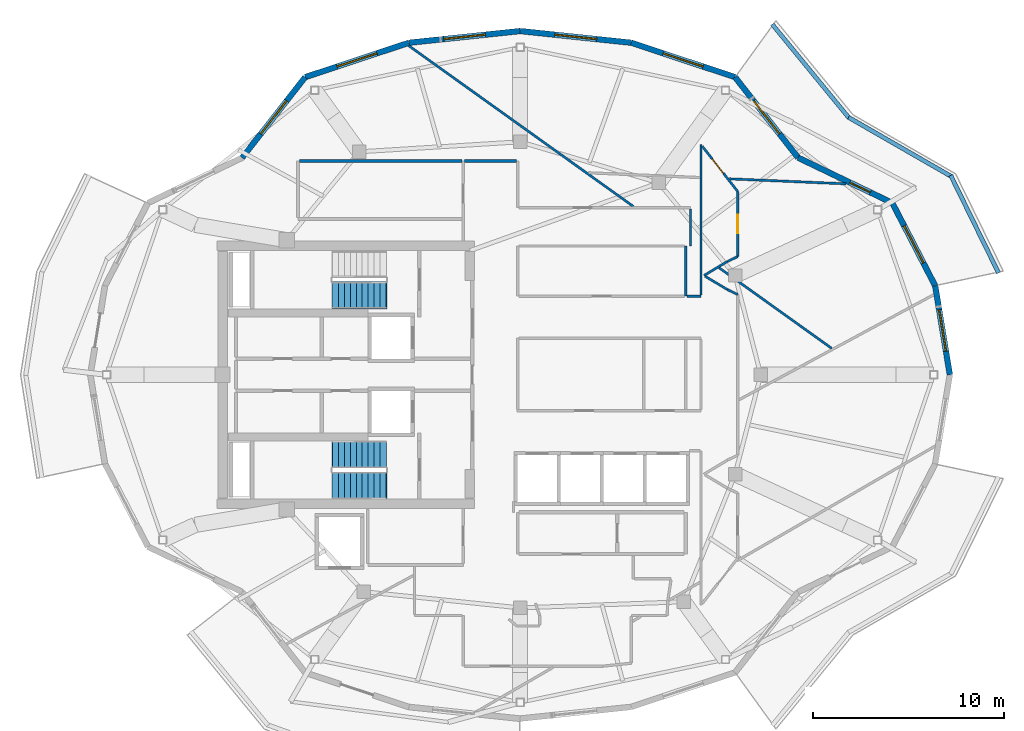
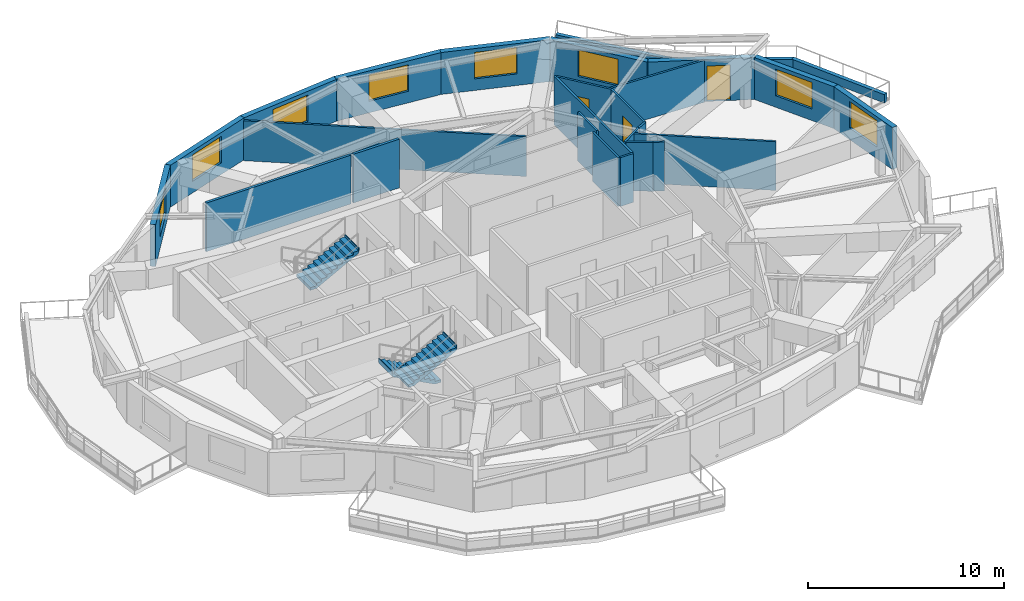
# One storey, part 7 of 11: 27 walls, 8 windows, 3 doors, 3 stair flights, 11 openings, 2 elements without a shape of their own.
"""IFC4 building model written with IfcOpenShell, lengths in metres."""

from ifc_helpers import new_model, si_unit, direction, frame, frame_2d, origin, place, context, subcontext, project, spatial, polyline, rectangle, outline, extrude, material, layer, layer_set, type_object, element, fill, aggregate, save


model = new_model("IFC4")

# Units and contexts
model_context = context("Model", 3, precision=1e-05, world=origin(), true_north=direction((0.0, 1.0)))
body_context = subcontext(model_context, "Body", "Model", "MODEL_VIEW")
ifc_project = project(units=[si_unit("LENGTHUNIT", "METRE"), si_unit("AREAUNIT", "SQUARE_METRE"), si_unit("VOLUMEUNIT", "CUBIC_METRE"), si_unit("PLANEANGLEUNIT", "RADIAN"), si_unit("MASSUNIT", "GRAM", prefix="KILO")], contexts=[model_context])

# Site, building, storey
site_placement = place(None, origin())
site = spatial("IfcSite", under=ifc_project, at=site_placement, CompositionType="ELEMENT")
building_placement = place(site_placement, origin())
building = spatial("IfcBuilding", under=site, at=building_placement, Name="Kolvaren Gate Tower and Convention Centre", CompositionType="ELEMENT")
storey_placement = place(building_placement, frame((0.0, 0.0, 255.800048828125)))
storey = spatial("IfcBuildingStorey", under=building, at=storey_placement, Name="L69", CompositionType="ELEMENT", Elevation=255.800048828125)

# Walls
ifc_material_1 = material(Name="Fire-Rated Acoustic Gypsum Stud Partition", Category="gypsum")
ifc_layer_1 = layer(ifc_material_1, 0.1201171875)
ifc_layer_set_1 = layer_set([ifc_layer_1], Name="Fire-Rated Acoustic Gypsum Stud Partition")
wall_type_1 = type_object("IfcWallType", Name="ARCH-WL-PART-120", PredefinedType="PARTITIONING", material=ifc_layer_set_1)
wall_1_placement = place(storey_placement, frame((38.800048828125, 31.1201171875, 0.0), z_axis=(0.0, 0.0, 1.0), x_axis=(0.0, 1.0, 0.0)))
element("IfcWall", 1, at=wall_1_placement, inside=storey, type_object=wall_type_1, Name="Interior Partition WL-L69-INT-023", PredefinedType="PARTITIONING", context=body_context, shape_type="SweptSolid", body=[
    extrude(rectangle(XDim=2.6298828125, YDim=0.1201171875, at=frame_2d((1.31494140625, 0.0))), origin(), (0.0, 0.0, 1.0), 3.030029296875),
])
wall_2_placement = place(storey_placement, frame((38.862060546875, 31.1201171875, 0.0), z_axis=(0.0, 0.0, 1.0), x_axis=(1.0, 0.0, 0.0)))
element("IfcWall", 2, at=wall_2_placement, inside=storey, type_object=wall_type_1, Name="Interior Partition WL-L69-INT-024 (2)", PredefinedType="PARTITIONING", context=body_context, shape_type="SweptSolid", body=[
    extrude(rectangle(XDim=0.738037109375, YDim=0.1201171875, at=frame_2d((0.369140625, 0.0))), origin(), (0.0, 0.0, 1.0), 3.030029296875),
])
wall_3_placement = place(storey_placement, frame((39.050048828125, 33.75, 0.0), z_axis=(0.0, 0.0, 1.0), x_axis=(0.0, 1.0, 0.0)))
element("IfcWall", 3, at=wall_3_placement, inside=storey, type_object=wall_type_1, Name="Interior Partition WL-L69-INT-033", PredefinedType="PARTITIONING", context=body_context, shape_type="SweptSolid", body=[
    extrude(rectangle(XDim=1.93798828125, YDim=0.1201171875, at=frame_2d((0.968994140625, 0.0))), origin(), (0.0, 0.0, 1.0), 3.030029296875),
])
wall_4_placement = place(storey_placement, frame((39.60009765625, 31.181884765625, 0.0), z_axis=(0.0, 0.0, 1.0), x_axis=(0.0, 1.0, 0.0)))
element("IfcWall", 4, at=wall_4_placement, inside=storey, type_object=wall_type_1, Name="Interior Partition WL-L69-INT-036", PredefinedType="PARTITIONING", context=body_context, shape_type="SweptSolid", body=[
    extrude(rectangle(XDim=7.8662109375, YDim=0.1201171875, at=frame_2d((3.93310546875, 0.0))), origin(), (0.0, 0.0, 1.0), 3.030029296875),
])

# Wall, opening, door
wall_5_placement = place(storey_placement, frame((39.662109375, 38.96875, 0.0), z_axis=(0.0, 0.0, 1.0), x_axis=(0.616500468458, -0.787354540465, 0.0)))
wall_5 = element("IfcWall", 5, at=wall_5_placement, inside=storey, type_object=wall_type_1, Name="Interior Partition WL-L69-INT-037", PredefinedType="PARTITIONING", context=body_context, shape_type="SweptSolid", body=[
    extrude(rectangle(XDim=3.013671875, YDim=0.1201171875, at=frame_2d((1.5068359375, 0.0))), origin(), (0.0, 0.0, 1.0), 3.030029296875),
])
opening_1_placement = place(wall_5_placement, frame((0.84912109375, 0.0, 0.0)))
opening_1 = element("IfcOpeningElement", 6, at=opening_1_placement, cuts=wall_5, Name="Opening DR-01", PredefinedType="OPENING", context=body_context, shape_type="SweptSolid", body=[
    extrude(rectangle(XDim=0.949951171875, YDim=2.10009765625, at=frame_2d((0.47509765625, 1.050048828125))), frame((0.0, 0.070068359375, 0.0), z_axis=(0.0, -1.0, 0.0), x_axis=(1.0, 0.0, 0.0)), (0.0, 0.0, 1.0), 0.14013671875),
])
ifc_material_2 = material(Name="Painted Architectural Steelwork ASTM A500 Grade C 345 MPa", Category="steel")
door_type_1 = type_object("IfcDoorType", Name="ARCH-DR-RISER-950", OperationType="SINGLE_SWING_RIGHT", PredefinedType="DOOR", material=ifc_material_2)
door_1_placement = place(opening_1_placement, origin())
door_1 = element("IfcDoor", 7, at=door_1_placement, inside=storey, type_object=door_type_1, Name="Resident Private Study Door", OperationType="SINGLE_SWING_RIGHT", OverallHeight=2.10009765625, OverallWidth=0.949951171875, PredefinedType="DOOR", context=body_context, shape_type="SweptSolid", body=[
    extrude(rectangle(XDim=0.949951171875, YDim=2.10009765625, at=frame_2d((0.47509765625, 1.050048828125))), frame((0.0, 0.02490234375, 0.0), z_axis=(0.0, -1.0, 0.0), x_axis=(1.0, 0.0, 0.0)), (0.0, 0.0, 1.0), 0.050048828125),
])
fill(opening_1, door_1)

wall_6_placement = place(storey_placement, frame((41.52001953125, 33.193115234375, 0.0), z_axis=(0.0, 0.0, 1.0), x_axis=(0.0, 1.0, 0.0)))
wall_6 = element("IfcWall", 8, at=wall_6_placement, inside=storey, type_object=wall_type_1, Name="Interior Partition WL-L69-INT-040", PredefinedType="PARTITIONING", context=body_context, shape_type="SweptSolid", body=[
    extrude(rectangle(XDim=3.40283203125, YDim=0.1201171875, at=frame_2d((1.701416015625, 0.0))), origin(), (0.0, 0.0, 1.0), 3.030029296875),
])
opening_2_placement = place(wall_6_placement, frame((1.2265625, 0.0, 0.0)))
opening_2 = element("IfcOpeningElement", 9, at=opening_2_placement, cuts=wall_6, Name="Opening DR-01", PredefinedType="OPENING", context=body_context, shape_type="SweptSolid", body=[
    extrude(rectangle(XDim=0.949951171875, YDim=2.10009765625, at=frame_2d((0.47509765625, 1.050048828125))), frame((0.0, 0.070068359375, 0.0), z_axis=(0.0, -1.0, 0.0), x_axis=(1.0, 0.0, 0.0)), (0.0, 0.0, 1.0), 0.14013671875),
])
door_2_placement = place(opening_2_placement, origin())
door_2 = element("IfcDoor", 10, at=door_2_placement, inside=storey, type_object=door_type_1, Name="Penthouse Strategy Boardroom Door", OperationType="SINGLE_SWING_LEFT", OverallHeight=2.10009765625, OverallWidth=0.949951171875, PredefinedType="DOOR", context=body_context, shape_type="SweptSolid", body=[
    extrude(rectangle(XDim=0.949951171875, YDim=2.10009765625, at=frame_2d((0.47509765625, 1.050048828125))), frame((0.0, 0.02490234375, 0.0), z_axis=(0.0, -1.0, 0.0), x_axis=(1.0, 0.0, 0.0)), (0.0, 0.0, 1.0), 0.050048828125),
])
fill(opening_2, door_2)

# Walls
wall_7_placement = place(storey_placement, frame((40.986083984375, 32.93994140625, 0.0), z_axis=(0.0, 0.0, 1.0), x_axis=(0.90356951601, 0.428441512621, 0.0)))
element("IfcWall", 11, at=wall_7_placement, inside=storey, type_object=wall_type_1, Name="Interior Partition WL-L69-INT-041", PredefinedType="PARTITIONING", context=body_context, shape_type="SweptSolid", body=[
    extrude(rectangle(XDim=0.5908203125, YDim=0.1201171875, at=frame_2d((0.29541015625, 0.0))), origin(), (0.0, 0.0, 1.0), 3.030029296875),
])
wall_8_placement = place(storey_placement, frame((39.75, 32.198974609375, 0.0), z_axis=(0.0, 0.0, 1.0), x_axis=(0.857702120906, 0.514146935996, 0.0)))
element("IfcWall", 12, at=wall_8_placement, inside=storey, type_object=wall_type_1, Name="Interior Partition WL-L69-INT-042", PredefinedType="PARTITIONING", context=body_context, shape_type="SweptSolid", body=[
    extrude(rectangle(XDim=1.441162109375, YDim=0.1201171875, at=frame_2d((0.720703125, 0.0))), origin(), (0.0, 0.0, 1.0), 3.030029296875),
])
wall_9_placement = place(storey_placement, frame((39.810302734375, 32.162841796875, 0.0), z_axis=(0.0, 0.0, 1.0), x_axis=(0.858011245414, -0.513630901273, 0.0)))
element("IfcWall", 13, at=wall_9_placement, inside=storey, type_object=wall_type_1, Name="Interior Partition WL-L69-INT-043", PredefinedType="PARTITIONING", context=body_context, shape_type="SweptSolid", body=[
    extrude(rectangle(XDim=1.370361328125, YDim=0.1201171875, at=frame_2d((0.68505859375, 0.0))), origin(), (0.0, 0.0, 1.0), 3.030029296875),
])
wall_10_placement = place(storey_placement, frame((40.986083984375, 31.458984375, 0.0), z_axis=(0.0, 0.0, 1.0), x_axis=(0.903729424576, -0.428104107847, 0.0)))
element("IfcWall", 14, at=wall_10_placement, inside=storey, type_object=wall_type_1, Name="Interior Partition WL-L69-INT-044", PredefinedType="PARTITIONING", context=body_context, shape_type="SweptSolid", body=[
    extrude(rectangle(XDim=0.5908203125, YDim=0.1201171875, at=frame_2d((0.29541015625, 0.0))), origin(), (0.0, 0.0, 1.0), 3.030029296875),
])
wall_11_placement = place(storey_placement, frame((24.302001953125, 44.226806640625, 0.0), z_axis=(0.0, 0.0, 1.0), x_axis=(0.813249507018, -0.581915147883, 0.0)))
element("IfcWall", 15, at=wall_11_placement, inside=storey, type_object=wall_type_1, Name="Interior Partition WL-L69-INT-072", PredefinedType="PARTITIONING", context=body_context, shape_type="SweptSolid", body=[
    extrude(rectangle(XDim=14.46044921875, YDim=0.1201171875, at=frame_2d((7.230224609375, 0.0))), origin(), (0.0, 0.0, 1.0), 2.47802734375),
])
wall_12_placement = place(storey_placement, frame((40.5458984375, 32.603759765625, 0.0), z_axis=(0.0, 0.0, 1.0), x_axis=(0.813264440548, -0.581894277116, 0.0)))
element("IfcWall", 16, at=wall_12_placement, inside=storey, type_object=wall_type_1, Name="Interior Partition WL-L69-INT-073", PredefinedType="PARTITIONING", context=body_context, shape_type="SweptSolid", body=[
    extrude(rectangle(XDim=7.249267578125, YDim=0.1201171875, at=frame_2d((3.62451171875, 0.0))), origin(), (0.0, 0.0, 1.0), 3.030029296875),
])
wall_13_placement = place(storey_placement, frame((41.076904296875, 37.262451171875, 0.0), z_axis=(0.0, 0.0, 1.0), x_axis=(0.999080744008, -0.042868017834, 0.0)))
element("IfcWall", 17, at=wall_13_placement, inside=storey, type_object=wall_type_1, Name="Interior Partition WL-L69-INT-075", PredefinedType="PARTITIONING", context=body_context, shape_type="SweptSolid", body=[
    extrude(rectangle(XDim=6.105224609375, YDim=0.1201171875, at=frame_2d((3.052734375, 0.0))), origin(), (0.0, 0.0, 1.0), 2.60498046875),
])
ifc_material_3 = material(Name="Piedmont Cream Honed Limestone Cladding", Category="masonry")
ifc_layer_2 = layer(ifc_material_3, 0.219970703125)
ifc_layer_set_2 = layer_set([ifc_layer_2], Name="Piedmont Cream Honed Limestone Cladding")
wall_type_2 = type_object("IfcWallType", Name="ARCH-WL-PLANTER-220", PredefinedType="PARAPET", material=ifc_layer_set_2)
wall_14_placement = place(storey_placement, frame((52.66748046875, 37.446533203125, 0.0), z_axis=(0.0, 0.0, 1.0), x_axis=(0.440058847499, -0.897968936399, 0.0)))
element("IfcWall", 18, at=wall_14_placement, inside=storey, type_object=wall_type_2, Name="Vertical-Forest Balcony Stone Planter Kerb PK-L69-1.1", PredefinedType="PARAPET", context=body_context, shape_type="SweptSolid", body=[
    extrude(rectangle(XDim=5.689453125, YDim=0.219970703125, at=frame_2d((2.8447265625, 0.0))), origin(), (0.0, 0.0, 1.0), 0.52001953125),
])
wall_15_placement = place(storey_placement, frame((47.3212890625, 40.4794921875, 0.0), z_axis=(0.0, 0.0, 1.0), x_axis=(0.866901621005, -0.49847926687, 0.0)))
element("IfcWall", 19, at=wall_15_placement, inside=storey, type_object=wall_type_2, Name="Vertical-Forest Balcony Stone Planter Kerb PK-L69-1.2", PredefinedType="PARAPET", context=body_context, shape_type="SweptSolid", body=[
    extrude(rectangle(XDim=6.196533203125, YDim=0.219970703125, at=frame_2d((3.09814453125, 0.0))), origin(), (0.0, 0.0, 1.0), 0.52001953125),
])
wall_16_placement = place(storey_placement, frame((43.322998046875, 45.35400390625, 0.0), z_axis=(0.0, 0.0, 1.0), x_axis=(0.63407318032, -0.77327304492, 0.0)))
element("IfcWall", 20, at=wall_16_placement, inside=storey, type_object=wall_type_2, Name="Vertical-Forest Balcony Stone Planter Kerb PK-L69-1.3", PredefinedType="PARAPET", context=body_context, shape_type="SweptSolid", body=[
    extrude(rectangle(XDim=6.37890625, YDim=0.219970703125, at=frame_2d((3.189453125, 0.0))), origin(), (0.0, 0.0, 1.0), 0.52001953125),
])

# Wall, opening, window
ifc_layer_3 = layer(ifc_material_3, 0.300048828125)
ifc_layer_set_3 = layer_set([ifc_layer_3], Name="Piedmont Cream Honed Limestone Cladding")
wall_type_3 = type_object("IfcWallType", Name="ARCH-WL-STONE-300", PredefinedType="SOLIDWALL", material=ifc_layer_set_3)
wall_17_placement = place(storey_placement, frame((51.8583984375, 31.65869140625, 0.0), z_axis=(0.0, 0.0, 1.0), x_axis=(0.162369371657, -0.986730047758, 0.0)))
wall_17 = element("IfcWall", 21, at=wall_17_placement, inside=storey, type_object=wall_type_3, Name="Tower L69 Honed Stone Spandrel Wall EW-00", PredefinedType="SOLIDWALL", context=body_context, shape_type="SweptSolid", body=[
    extrude(rectangle(XDim=4.721435546875, YDim=0.300048828125, at=frame_2d((2.36083984375, 0.0))), origin(), (0.0, 0.0, 1.0), 2.60498046875),
])
opening_3_placement = place(wall_17_placement, frame((1.260986328125, 0.0, 0.719970703125)))
opening_3 = element("IfcOpeningElement", 22, at=opening_3_placement, cuts=wall_17, Name="Opening W-03", PredefinedType="OPENING", context=body_context, shape_type="SweptSolid", body=[
    extrude(rectangle(XDim=2.199951171875, YDim=1.64990234375, at=frame_2d((1.10009765625, 0.824951171875))), frame((0.0, 0.159912109375, 0.0), z_axis=(0.0, -1.0, 0.0), x_axis=(1.0, 0.0, 0.0)), (0.0, 0.0, 1.0), 0.320068359375),
])
ifc_material_4 = material(Name="Low-E Triple Insulated Glazing Unit 44 mm", Category="glass")
window_type = type_object("IfcWindowType", Name="ARCH-WN-RES-2200", PartitioningType="SINGLE_PANEL", PredefinedType="WINDOW", material=ifc_material_4)
window_1_placement = place(opening_3_placement, origin())
window_1 = element("IfcWindow", 23, at=window_1_placement, inside=storey, type_object=window_type, Name="Tower L69 Punched Stone Facade Window W-00", OverallHeight=1.64990234375, OverallWidth=2.199951171875, PartitioningType="SINGLE_PANEL", PredefinedType="WINDOW", context=body_context, shape_type="SweptSolid", body=[
    extrude(rectangle(XDim=2.199951171875, YDim=1.64990234375, at=frame_2d((1.10009765625, 0.824951171875))), frame((0.0, 0.030029296875, 0.0), z_axis=(0.0, -1.0, 0.0), x_axis=(1.0, 0.0, 0.0)), (0.0, 0.0, 1.0), 0.06005859375),
])
fill(opening_3, window_1)

wall_18_placement = place(storey_placement, frame((49.610595703125, 36.0, 0.0), z_axis=(0.0, 0.0, 1.0), x_axis=(0.459793771602, -0.888025724625, 0.0)))
wall_18 = element("IfcWall", 24, at=wall_18_placement, inside=storey, type_object=wall_type_3, Name="Tower L69 Honed Stone Spandrel Wall EW-01", PredefinedType="SOLIDWALL", context=body_context, shape_type="SweptSolid", body=[
    extrude(rectangle(XDim=4.888671875, YDim=0.300048828125, at=frame_2d((2.4443359375, 0.0))), origin(), (0.0, 0.0, 1.0), 2.60498046875),
])
opening_4_placement = place(wall_18_placement, frame((1.343994140625, 0.0, 0.719970703125)))
opening_4 = element("IfcOpeningElement", 25, at=opening_4_placement, cuts=wall_18, Name="Opening W-03", PredefinedType="OPENING", context=body_context, shape_type="SweptSolid", body=[
    extrude(rectangle(XDim=2.199951171875, YDim=1.64990234375, at=frame_2d((1.10009765625, 0.824951171875))), frame((0.0, 0.159912109375, 0.0), z_axis=(0.0, -1.0, 0.0), x_axis=(1.0, 0.0, 0.0)), (0.0, 0.0, 1.0), 0.320068359375),
])
window_2_placement = place(opening_4_placement, origin())
window_2 = element("IfcWindow", 26, at=window_2_placement, inside=storey, type_object=window_type, Name="Tower L69 Punched Stone Facade Window W-01", OverallHeight=1.64990234375, OverallWidth=2.199951171875, PartitioningType="SINGLE_PANEL", PredefinedType="WINDOW", context=body_context, shape_type="SweptSolid", body=[
    extrude(rectangle(XDim=2.199951171875, YDim=1.64990234375, at=frame_2d((1.10009765625, 0.824951171875))), frame((0.0, 0.030029296875, 0.0), z_axis=(0.0, -1.0, 0.0), x_axis=(1.0, 0.0, 0.0)), (0.0, 0.0, 1.0), 0.06005859375),
])
fill(opening_4, window_2)

# Wall, opening, door
wall_19_placement = place(storey_placement, frame((44.67724609375, 38.370361328125, 0.0), z_axis=(0.0, 0.0, 1.0), x_axis=(0.901355238351, -0.433080517106, 0.0)))
wall_19 = element("IfcWall", 27, at=wall_19_placement, inside=storey, type_object=wall_type_3, Name="Tower L69 Honed Stone Spandrel Wall EW-02", PredefinedType="SOLIDWALL", context=body_context, shape_type="SweptSolid", body=[
    extrude(rectangle(XDim=5.47314453125, YDim=0.300048828125, at=frame_2d((2.736572265625, 0.0))), origin(), (0.0, 0.0, 1.0), 2.60498046875),
])
opening_5_placement = place(wall_19_placement, frame((3.0, 0.0, 0.0)))
opening_5 = element("IfcOpeningElement", 28, at=opening_5_placement, cuts=wall_19, Name="Opening DB-02", PredefinedType="OPENING", context=body_context, shape_type="SweptSolid", body=[
    extrude(rectangle(XDim=1.199951171875, YDim=2.199951171875, at=frame_2d((0.60009765625, 1.10009765625))), frame((0.0, 0.159912109375, 0.0), z_axis=(0.0, -1.0, 0.0), x_axis=(1.0, 0.0, 0.0)), (0.0, 0.0, 1.0), 0.320068359375),
])
ifc_material_5 = material(Name="Anodized Architectural Aluminium Alloy 6063-T6", Category="aluminium")
door_type_2 = type_object("IfcDoorType", Name="ARCH-DR-BALC-1200", OperationType="NOTDEFINED", PredefinedType="DOOR", material=ifc_material_5)
door_3_placement = place(opening_5_placement, origin())
door_3 = element("IfcDoor", 29, at=door_3_placement, inside=storey, type_object=door_type_2, Name="Planted Sky Terrace Access Door DB-L69-02", OperationType="SINGLE_SWING_LEFT", OverallHeight=2.199951171875, OverallWidth=1.199951171875, PredefinedType="DOOR", context=body_context, shape_type="SweptSolid", body=[
    extrude(rectangle(XDim=1.199951171875, YDim=2.199951171875, at=frame_2d((0.60009765625, 1.10009765625))), frame((0.0, 0.02490234375, 0.0), z_axis=(0.0, -1.0, 0.0), x_axis=(1.0, 0.0, 0.0)), (0.0, 0.0, 1.0), 0.050048828125),
])
fill(opening_5, door_3)

# Wall, opening, window
wall_20_placement = place(storey_placement, frame((41.375, 42.58837890625, 0.0), z_axis=(0.0, 0.0, 1.0), x_axis=(0.61644588519, -0.787397276241, 0.0)))
wall_20 = element("IfcWall", 30, at=wall_20_placement, inside=storey, type_object=wall_type_3, Name="Tower L69 Honed Stone Spandrel Wall EW-03", PredefinedType="SOLIDWALL", context=body_context, shape_type="SweptSolid", body=[
    extrude(rectangle(XDim=5.35693359375, YDim=0.300048828125, at=frame_2d((2.678466796875, 0.0))), origin(), (0.0, 0.0, 1.0), 2.60498046875),
])
opening_6_placement = place(wall_20_placement, frame((1.5791015625, 0.0, 0.719970703125)))
opening_6 = element("IfcOpeningElement", 31, at=opening_6_placement, cuts=wall_20, Name="Opening W-03", PredefinedType="OPENING", context=body_context, shape_type="SweptSolid", body=[
    extrude(rectangle(XDim=2.199951171875, YDim=1.64990234375, at=frame_2d((1.10009765625, 0.824951171875))), frame((0.0, 0.159912109375, 0.0), z_axis=(0.0, -1.0, 0.0), x_axis=(1.0, 0.0, 0.0)), (0.0, 0.0, 1.0), 0.320068359375),
])
window_3_placement = place(opening_6_placement, origin())
window_3 = element("IfcWindow", 32, at=window_3_placement, inside=storey, type_object=window_type, Name="Tower L69 Punched Stone Facade Window W-03", OverallHeight=1.64990234375, OverallWidth=2.199951171875, PartitioningType="SINGLE_PANEL", PredefinedType="WINDOW", context=body_context, shape_type="SweptSolid", body=[
    extrude(rectangle(XDim=2.199951171875, YDim=1.64990234375, at=frame_2d((1.10009765625, 0.824951171875))), frame((0.0, 0.030029296875, 0.0), z_axis=(0.0, -1.0, 0.0), x_axis=(1.0, 0.0, 0.0)), (0.0, 0.0, 1.0), 0.06005859375),
])
fill(opening_6, window_3)

wall_21_placement = place(storey_placement, frame((35.948486328125, 44.38671875, 0.0), z_axis=(0.0, 0.0, 1.0), x_axis=(0.949232769585, -0.314574552605, 0.0)))
wall_21 = element("IfcWall", 33, at=wall_21_placement, inside=storey, type_object=wall_type_3, Name="Tower L69 Honed Stone Spandrel Wall EW-04", PredefinedType="SOLIDWALL", context=body_context, shape_type="SweptSolid", body=[
    extrude(rectangle(XDim=5.716796875, YDim=0.300048828125, at=frame_2d((2.8583984375, 0.0))), origin(), (0.0, 0.0, 1.0), 2.60498046875),
])
opening_7_placement = place(wall_21_placement, frame((1.758056640625, 0.0, 0.719970703125)))
opening_7 = element("IfcOpeningElement", 34, at=opening_7_placement, cuts=wall_21, Name="Opening W-03", PredefinedType="OPENING", context=body_context, shape_type="SweptSolid", body=[
    extrude(rectangle(XDim=2.199951171875, YDim=1.64990234375, at=frame_2d((1.10009765625, 0.824951171875))), frame((0.0, 0.159912109375, 0.0), z_axis=(0.0, -1.0, 0.0), x_axis=(1.0, 0.0, 0.0)), (0.0, 0.0, 1.0), 0.320068359375),
])
window_4_placement = place(opening_7_placement, origin())
window_4 = element("IfcWindow", 35, at=window_4_placement, inside=storey, type_object=window_type, Name="Tower L69 Punched Stone Facade Window W-04", OverallHeight=1.64990234375, OverallWidth=2.199951171875, PartitioningType="SINGLE_PANEL", PredefinedType="WINDOW", context=body_context, shape_type="SweptSolid", body=[
    extrude(rectangle(XDim=2.199951171875, YDim=1.64990234375, at=frame_2d((1.10009765625, 0.824951171875))), frame((0.0, 0.030029296875, 0.0), z_axis=(0.0, -1.0, 0.0), x_axis=(1.0, 0.0, 0.0)), (0.0, 0.0, 1.0), 0.06005859375),
])
fill(opening_7, window_4)

wall_22_placement = place(storey_placement, frame((30.125, 45.0, 0.0), z_axis=(0.0, 0.0, 1.0), x_axis=(0.994500425783, -0.10473253132, 0.0)))
wall_22 = element("IfcWall", 36, at=wall_22_placement, inside=storey, type_object=wall_type_3, Name="Tower L69 Honed Stone Spandrel Wall EW-05", PredefinedType="SOLIDWALL", context=body_context, shape_type="SweptSolid", body=[
    extrude(rectangle(XDim=5.855712890625, YDim=0.300048828125, at=frame_2d((2.927734375, 0.0))), origin(), (0.0, 0.0, 1.0), 2.60498046875),
])
opening_8_placement = place(wall_22_placement, frame((1.827880859375, 0.0, 0.719970703125)))
opening_8 = element("IfcOpeningElement", 37, at=opening_8_placement, cuts=wall_22, Name="Opening W-03", PredefinedType="OPENING", context=body_context, shape_type="SweptSolid", body=[
    extrude(rectangle(XDim=2.199951171875, YDim=1.64990234375, at=frame_2d((1.10009765625, 0.824951171875))), frame((0.0, 0.159912109375, 0.0), z_axis=(0.0, -1.0, 0.0), x_axis=(1.0, 0.0, 0.0)), (0.0, 0.0, 1.0), 0.320068359375),
])
window_5_placement = place(opening_8_placement, origin())
window_5 = element("IfcWindow", 38, at=window_5_placement, inside=storey, type_object=window_type, Name="Tower L69 Punched Stone Facade Window W-05", OverallHeight=1.64990234375, OverallWidth=2.199951171875, PartitioningType="SINGLE_PANEL", PredefinedType="WINDOW", context=body_context, shape_type="SweptSolid", body=[
    extrude(rectangle(XDim=2.199951171875, YDim=1.64990234375, at=frame_2d((1.10009765625, 0.824951171875))), frame((0.0, 0.030029296875, 0.0), z_axis=(0.0, -1.0, 0.0), x_axis=(1.0, 0.0, 0.0)), (0.0, 0.0, 1.0), 0.06005859375),
])
fill(opening_8, window_5)

wall_23_placement = place(storey_placement, frame((24.301513671875, 44.38671875, 0.0), z_axis=(0.0, 0.0, 1.0), x_axis=(0.994500425783, 0.10473253132, 0.0)))
wall_23 = element("IfcWall", 39, at=wall_23_placement, inside=storey, type_object=wall_type_3, Name="Tower L69 Honed Stone Spandrel Wall EW-06", PredefinedType="SOLIDWALL", context=body_context, shape_type="SweptSolid", body=[
    extrude(rectangle(XDim=5.855712890625, YDim=0.300048828125, at=frame_2d((2.927734375, 0.0))), origin(), (0.0, 0.0, 1.0), 2.60498046875),
])
opening_9_placement = place(wall_23_placement, frame((1.827880859375, 0.0, 0.719970703125)))
opening_9 = element("IfcOpeningElement", 40, at=opening_9_placement, cuts=wall_23, Name="Opening W-03", PredefinedType="OPENING", context=body_context, shape_type="SweptSolid", body=[
    extrude(rectangle(XDim=2.199951171875, YDim=1.64990234375, at=frame_2d((1.10009765625, 0.824951171875))), frame((0.0, 0.159912109375, 0.0), z_axis=(0.0, -1.0, 0.0), x_axis=(1.0, 0.0, 0.0)), (0.0, 0.0, 1.0), 0.320068359375),
])
window_6_placement = place(opening_9_placement, origin())
window_6 = element("IfcWindow", 41, at=window_6_placement, inside=storey, type_object=window_type, Name="Tower L69 Punched Stone Facade Window W-06", OverallHeight=1.64990234375, OverallWidth=2.199951171875, PartitioningType="SINGLE_PANEL", PredefinedType="WINDOW", context=body_context, shape_type="SweptSolid", body=[
    extrude(rectangle(XDim=2.199951171875, YDim=1.64990234375, at=frame_2d((1.10009765625, 0.824951171875))), frame((0.0, 0.030029296875, 0.0), z_axis=(0.0, -1.0, 0.0), x_axis=(1.0, 0.0, 0.0)), (0.0, 0.0, 1.0), 0.06005859375),
])
fill(opening_9, window_6)

wall_24_placement = place(storey_placement, frame((18.875, 42.58837890625, 0.0), z_axis=(0.0, 0.0, 1.0), x_axis=(0.949232769585, 0.314574552605, 0.0)))
wall_24 = element("IfcWall", 42, at=wall_24_placement, inside=storey, type_object=wall_type_3, Name="Tower L69 Honed Stone Spandrel Wall EW-07", PredefinedType="SOLIDWALL", context=body_context, shape_type="SweptSolid", body=[
    extrude(rectangle(XDim=5.716796875, YDim=0.300048828125, at=frame_2d((2.8583984375, 0.0))), origin(), (0.0, 0.0, 1.0), 2.60498046875),
])
opening_10_placement = place(wall_24_placement, frame((1.758056640625, 0.0, 0.719970703125)))
opening_10 = element("IfcOpeningElement", 43, at=opening_10_placement, cuts=wall_24, Name="Opening W-03", PredefinedType="OPENING", context=body_context, shape_type="SweptSolid", body=[
    extrude(rectangle(XDim=2.199951171875, YDim=1.64990234375, at=frame_2d((1.10009765625, 0.824951171875))), frame((0.0, 0.159912109375, 0.0), z_axis=(0.0, -1.0, 0.0), x_axis=(1.0, 0.0, 0.0)), (0.0, 0.0, 1.0), 0.320068359375),
])
window_7_placement = place(opening_10_placement, origin())
window_7 = element("IfcWindow", 44, at=window_7_placement, inside=storey, type_object=window_type, Name="Tower L69 Punched Stone Facade Window W-07", OverallHeight=1.64990234375, OverallWidth=2.199951171875, PartitioningType="SINGLE_PANEL", PredefinedType="WINDOW", context=body_context, shape_type="SweptSolid", body=[
    extrude(rectangle(XDim=2.199951171875, YDim=1.64990234375, at=frame_2d((1.10009765625, 0.824951171875))), frame((0.0, 0.030029296875, 0.0), z_axis=(0.0, -1.0, 0.0), x_axis=(1.0, 0.0, 0.0)), (0.0, 0.0, 1.0), 0.06005859375),
])
fill(opening_10, window_7)

wall_25_placement = place(storey_placement, frame((15.57275390625, 38.370361328125, 0.0), z_axis=(0.0, 0.0, 1.0), x_axis=(0.61644588519, 0.787397276241, 0.0)))
wall_25 = element("IfcWall", 45, at=wall_25_placement, inside=storey, type_object=wall_type_3, Name="Tower L69 Honed Stone Spandrel Wall EW-08", PredefinedType="SOLIDWALL", context=body_context, shape_type="SweptSolid", body=[
    extrude(rectangle(XDim=5.35693359375, YDim=0.300048828125, at=frame_2d((2.678466796875, 0.0))), origin(), (0.0, 0.0, 1.0), 2.60498046875),
])
opening_11_placement = place(wall_25_placement, frame((1.5791015625, 0.0, 0.719970703125)))
opening_11 = element("IfcOpeningElement", 46, at=opening_11_placement, cuts=wall_25, Name="Opening W-03", PredefinedType="OPENING", context=body_context, shape_type="SweptSolid", body=[
    extrude(rectangle(XDim=2.199951171875, YDim=1.64990234375, at=frame_2d((1.10009765625, 0.824951171875))), frame((0.0, 0.159912109375, 0.0), z_axis=(0.0, -1.0, 0.0), x_axis=(1.0, 0.0, 0.0)), (0.0, 0.0, 1.0), 0.320068359375),
])
window_8_placement = place(opening_11_placement, origin())
window_8 = element("IfcWindow", 47, at=window_8_placement, inside=storey, type_object=window_type, Name="Tower L69 Punched Stone Facade Window W-08", OverallHeight=1.64990234375, OverallWidth=2.199951171875, PartitioningType="SINGLE_PANEL", PredefinedType="WINDOW", context=body_context, shape_type="SweptSolid", body=[
    extrude(rectangle(XDim=2.199951171875, YDim=1.64990234375, at=frame_2d((1.10009765625, 0.824951171875))), frame((0.0, 0.030029296875, 0.0), z_axis=(0.0, -1.0, 0.0), x_axis=(1.0, 0.0, 0.0)), (0.0, 0.0, 1.0), 0.06005859375),
])
fill(opening_11, window_8)

# Walls
ifc_material_6 = material(Name="Moisture-Resistant Cement-Board Acoustic Partition", Category="gypsum")
ifc_layer_4 = layer(ifc_material_6, 0.14990234375)
ifc_layer_set_4 = layer_set([ifc_layer_4], Name="Moisture-Resistant Cement-Board Acoustic Partition")
wall_type_4 = type_object("IfcWallType", Name="ARCH-WL-WET-150", PredefinedType="PARTITIONING", material=ifc_layer_set_4)
wall_26_placement = place(storey_placement, frame((18.576904296875, 38.199951171875, 0.0), z_axis=(0.0, 0.0, 1.0), x_axis=(1.0, 0.0, 0.0)))
element("IfcWall", 48, at=wall_26_placement, inside=storey, type_object=wall_type_4, Name="Interior Partition WL-L69-INT-031", PredefinedType="PARTITIONING", context=body_context, shape_type="SweptSolid", body=[
    extrude(rectangle(XDim=8.49609375, YDim=0.14990234375, at=frame_2d((4.248046875, 0.0))), origin(), (0.0, 0.0, 1.0), 3.030029296875),
])
wall_27_placement = place(storey_placement, frame((27.22705078125, 38.199951171875, 0.0), z_axis=(0.0, 0.0, 1.0), x_axis=(1.0, 0.0, 0.0)))
element("IfcWall", 49, at=wall_27_placement, inside=storey, type_object=wall_type_4, Name="Interior Partition WL-L69-INT-031 (2)", PredefinedType="PARTITIONING", context=body_context, shape_type="SweptSolid", body=[
    extrude(rectangle(XDim=2.7109375, YDim=0.14990234375, at=frame_2d((1.35546875, 0.0))), origin(), (0.0, 0.0, 1.0), 3.030029296875),
])

# Stair, stair flight
ifc_material_7 = material(Name="Concrete C50/60", Category="concrete")
stair_type = type_object("IfcStairType", Name="STR-STAIR-CORE", PredefinedType="HALF_TURN_STAIR", material=ifc_material_7)
stair_1_placement = place(storey_placement, origin())
stair_1 = element("IfcStair", 50, at=stair_1_placement, inside=storey, type_object=stair_type, Name="L69 Tower North Exit Stair ST-T1", PredefinedType="HALF_TURN_STAIR")
stair_flight_type = type_object("IfcStairFlightType", Name="STR-SFL-1420", PredefinedType="STRAIGHT", material=ifc_material_7)
stair_flight_1_placement = place(storey_placement, frame((20.31005859375, 31.169921875, 1.64990234375), z_axis=(0.0, 0.0, 1.0), x_axis=(1.0, 0.0, 0.0)))
stair_flight_1 = element("IfcStairFlight", 51, at=stair_flight_1_placement, type_object=stair_flight_type, Name="ST-T1 flight 2", NumberOfRisers=10, NumberOfTreads=9, PredefinedType="STRAIGHT", RiserHeight=0.165, TreadLength=0.31, context=body_context, shape_type="SweptSolid", body=[
    extrude(outline(polyline([(-0.034912109375, 0.0), (-0.034912109375, 0.1650390625), (0.31005859375, 0.1650390625), (0.31005859375, 0.330078125), (0.6201171875, 0.330078125), (0.6201171875, 0.4951171875), (0.929931640625, 0.4951171875), (0.929931640625, 0.659912109375), (1.239990234375, 0.659912109375), (1.239990234375, 0.824951171875), (1.550048828125, 0.824951171875), (1.550048828125, 0.989990234375), (1.860107421875, 0.989990234375), (1.860107421875, 1.155029296875), (2.169921875, 1.155029296875), (2.169921875, 1.320068359375), (2.47998046875, 1.320068359375), (2.47998046875, 1.485107421875), (2.7900390625, 1.485107421875), (2.7900390625, 1.64990234375), (2.8349609375, 1.64990234375), (2.8349609375, 1.489990234375), (2.7900390625, 1.315185546875), (0.319091796875, 0.0), (-0.034912109375, 0.0)])), frame((0.0, 0.7099609375, 0.0), z_axis=(0.0, -1.0, 0.0), x_axis=(1.0, 0.0, 0.0)), (0.0, 0.0, 1.0), 1.419921875),
])
aggregate(stair_1, [stair_flight_1])

# Stair, stair flights
stair_2_placement = place(storey_placement, origin())
stair_2 = element("IfcStair", 52, at=stair_2_placement, inside=storey, type_object=stair_type, Name="L69 Tower South Exit Stair ST-T2", PredefinedType="HALF_TURN_STAIR")
stair_flight_2_placement = place(storey_placement, frame((23.10009765625, 22.830078125, 0.0), z_axis=(0.0, 0.0, 1.0), x_axis=(-1.0, 0.0, 0.0)))
stair_flight_2 = element("IfcStairFlight", 53, at=stair_flight_2_placement, type_object=stair_flight_type, Name="ST-T2 flight 1", NumberOfRisers=10, NumberOfTreads=9, PredefinedType="STRAIGHT", RiserHeight=0.165, TreadLength=0.31, context=body_context, shape_type="SweptSolid", body=[
    extrude(outline(polyline([(-0.034912109375, 0.0), (-0.034912109375, 0.1650390625), (0.31005859375, 0.1650390625), (0.31005859375, 0.330078125), (0.6201171875, 0.330078125), (0.6201171875, 0.4951171875), (0.929931640625, 0.4951171875), (0.929931640625, 0.659912109375), (1.239990234375, 0.659912109375), (1.239990234375, 0.824951171875), (1.550048828125, 0.824951171875), (1.550048828125, 0.989990234375), (1.860107421875, 0.989990234375), (1.860107421875, 1.155029296875), (2.169921875, 1.155029296875), (2.169921875, 1.320068359375), (2.47998046875, 1.320068359375), (2.47998046875, 1.485107421875), (2.7900390625, 1.485107421875), (2.7900390625, 1.64990234375), (2.8349609375, 1.64990234375), (2.8349609375, 1.489990234375), (2.7900390625, 1.315185546875), (0.319091796875, 0.0), (-0.034912109375, 0.0)])), frame((0.0, 0.7099609375, 0.0), z_axis=(0.0, -1.0, 0.0), x_axis=(1.0, 0.0, 0.0)), (0.0, 0.0, 1.0), 1.419921875),
])
stair_flight_3_placement = place(storey_placement, frame((20.31005859375, 21.2099609375, 1.64990234375), z_axis=(0.0, 0.0, 1.0), x_axis=(1.0, 0.0, 0.0)))
stair_flight_3 = element("IfcStairFlight", 54, at=stair_flight_3_placement, type_object=stair_flight_type, Name="ST-T2 flight 2", NumberOfRisers=10, NumberOfTreads=9, PredefinedType="STRAIGHT", RiserHeight=0.165, TreadLength=0.31, context=body_context, shape_type="SweptSolid", body=[
    extrude(outline(polyline([(-0.034912109375, 0.0), (-0.034912109375, 0.1650390625), (0.31005859375, 0.1650390625), (0.31005859375, 0.330078125), (0.6201171875, 0.330078125), (0.6201171875, 0.4951171875), (0.929931640625, 0.4951171875), (0.929931640625, 0.659912109375), (1.239990234375, 0.659912109375), (1.239990234375, 0.824951171875), (1.550048828125, 0.824951171875), (1.550048828125, 0.989990234375), (1.860107421875, 0.989990234375), (1.860107421875, 1.155029296875), (2.169921875, 1.155029296875), (2.169921875, 1.320068359375), (2.47998046875, 1.320068359375), (2.47998046875, 1.485107421875), (2.7900390625, 1.485107421875), (2.7900390625, 1.64990234375), (2.8349609375, 1.64990234375), (2.8349609375, 1.489990234375), (2.7900390625, 1.315185546875), (0.319091796875, 0.0), (-0.034912109375, 0.0)])), frame((0.0, 0.7099609375, 0.0), z_axis=(0.0, -1.0, 0.0), x_axis=(1.0, 0.0, 0.0)), (0.0, 0.0, 1.0), 1.419921875),
])
aggregate(stair_2, [stair_flight_2, stair_flight_3])

save(model, "model.ifc")
